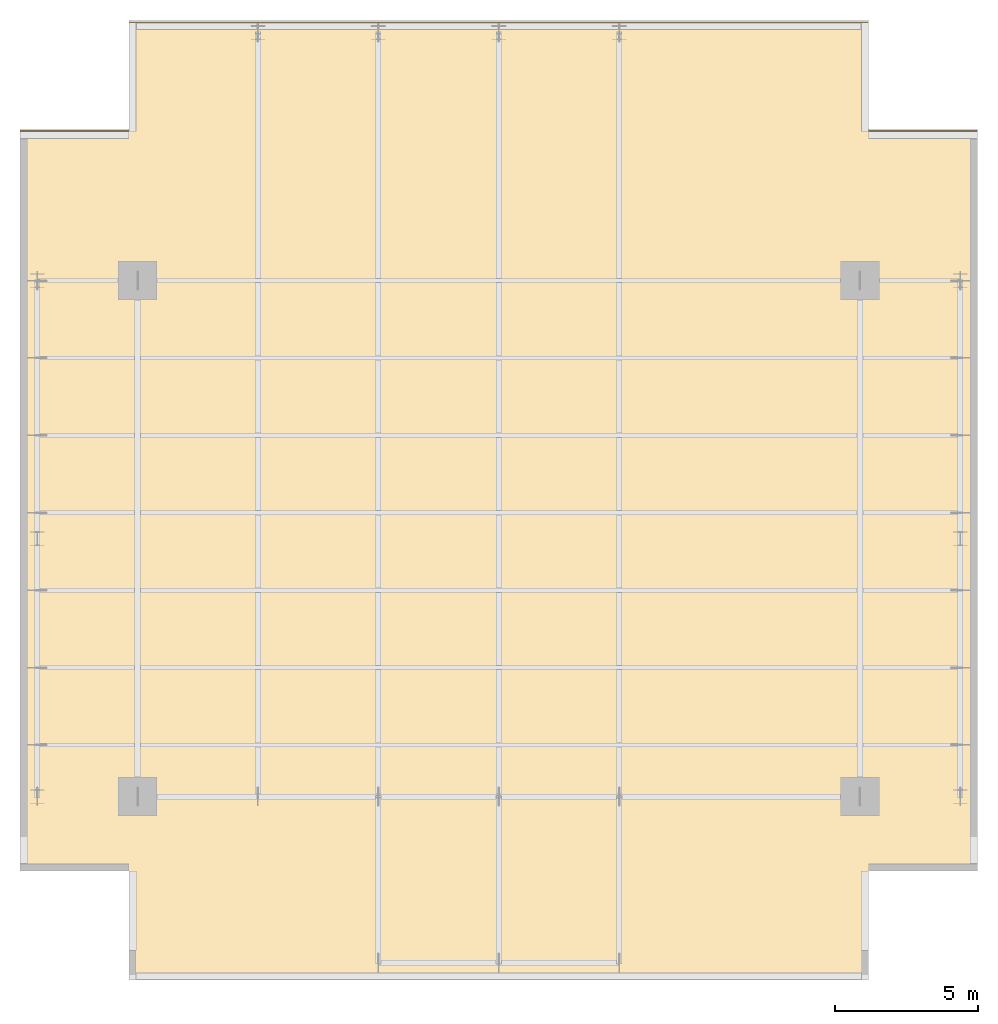
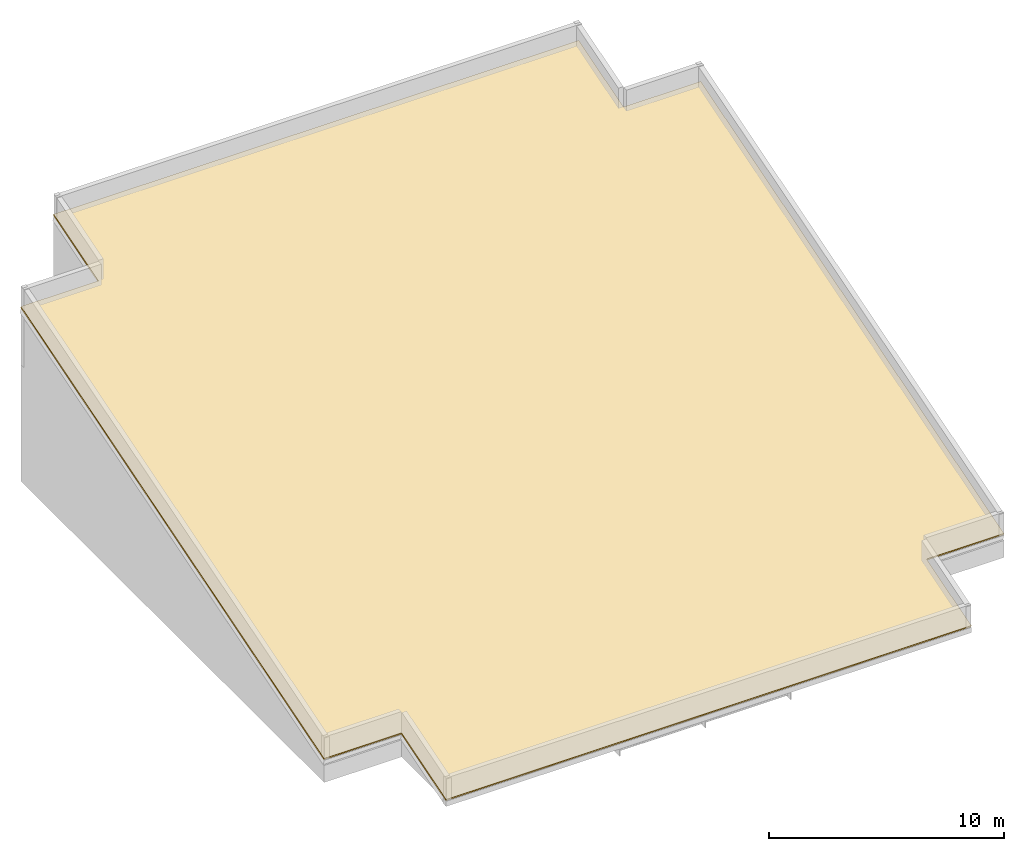
# One storey, part 3 of 3: 1 covering.
"""IFC4 building model written with IfcOpenShell, lengths in metres."""

from ifc_helpers import new_model, si_unit, direction, frame, origin, place, context, subcontext, project, spatial, polyline, outline, extrude, material, layer, layer_set, type_object, element, save


model = new_model("IFC4")

# Units and contexts
model_context = context("Model", 3, precision=1e-05, world=origin(), true_north=direction((0.0, 1.0)))
body_context = subcontext(model_context, "Body", "Model", "MODEL_VIEW")
ifc_project = project(units=[si_unit("LENGTHUNIT", "METRE"), si_unit("AREAUNIT", "SQUARE_METRE"), si_unit("VOLUMEUNIT", "CUBIC_METRE"), si_unit("PLANEANGLEUNIT", "RADIAN"), si_unit("MASSUNIT", "GRAM", prefix="KILO")], contexts=[model_context])

# Site, building, storey
site_placement = place(None, origin())
site = spatial("IfcSite", under=ifc_project, at=site_placement, CompositionType="ELEMENT")
building_placement = place(site_placement, origin())
building = spatial("IfcBuilding", under=site, at=building_placement, Name="Maruvema Waterfront Hotel and Observation Tower", CompositionType="ELEMENT")
storey_placement = place(building_placement, frame((0.0, 0.0, 376.25)))
storey = spatial("IfcBuildingStorey", under=building, at=storey_placement, Name="Roof", CompositionType="ELEMENT", Elevation=376.25)

# Covering
ifc_material = material(Name="SBS modified bitumen waterproofing with granite ballast", Category="masonry")
ifc_layer = layer(ifc_material, 0.090087890625, Name="Elastomeric Waterproof Roof Membrane and Granite Ballast 90 mm")
ifc_layer_set = layer_set([ifc_layer], Name="SBS modified bitumen waterproofing with granite ballast")
covering_type = type_object("IfcCoveringType", Name="Elastomeric Waterproof Roof Membrane and Granite Ballast 90 mm", PredefinedType="ROOFING", material=ifc_layer_set)
covering_placement = place(storey_placement, frame((24.89990234375, 20.60009765625, 0.090087890625), z_axis=(0.0, -0.290760526175, 0.956795859324), x_axis=(1.0, 0.0, 0.0)))
element("IfcCovering", 1, at=covering_placement, inside=storey, type_object=covering_type, Name="Sloped Crown Roof Waterproofing and Granite Ballast", PredefinedType="ROOFING", context=body_context, shape_type="SweptSolid", body=[
    extrude(outline(polyline([(0.0, 0.0), (25.800048828125, 0.0), (25.800048828125, 3.9714033308880428), (29.60009765625, 3.9714033308880428), (29.60009765625, 30.936442286772994), (25.800048828125, 30.936442286772994), (25.800048828125, 34.90807921040013), (0.0, 34.90807921040013), (0.0, 30.936442286772994), (-3.7998046875, 30.936442286772994), (-3.7998046875, 3.9714033308880428), (0.0, 3.9714033308880428), (0.0, 0.0)])), origin(), (0.0, 0.0, -1.0), 0.090087890625),
])

save(model, "model.ifc")
